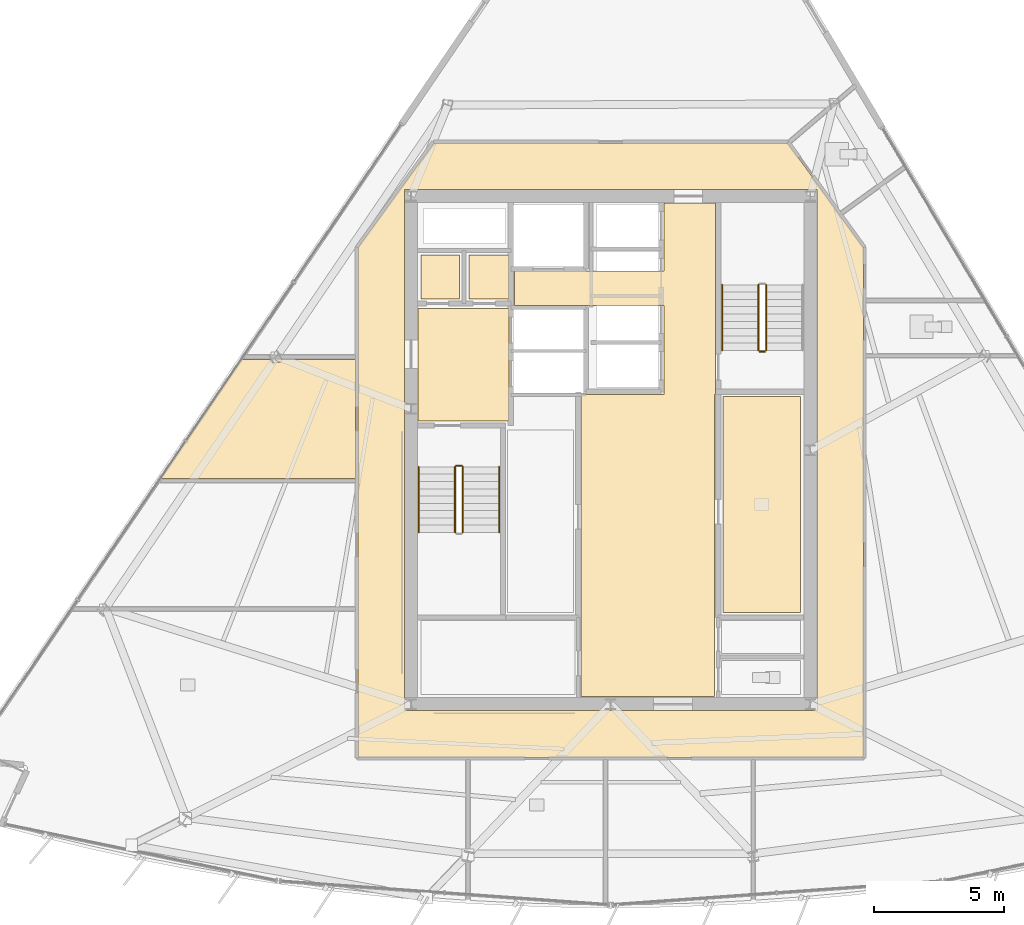
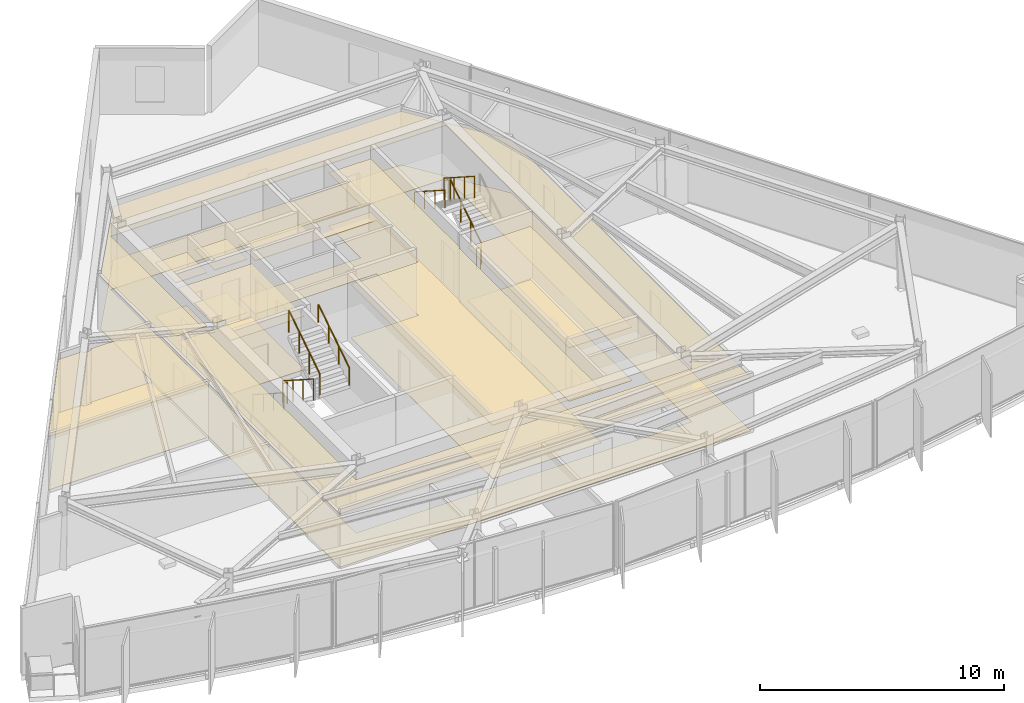
# One storey, part 10 of 13: 14 coverings, 9 railings.
"""IFC4 building model written with IfcOpenShell, lengths in metres."""

from ifc_helpers import new_model, si_unit, direction, frame, origin, origin_2d, place, context, subcontext, project, spatial, polyline, circle, outline, extrude, material, layer, layer_set, type_object, element, save


model = new_model("IFC4")

# Units and contexts
model_context = context("Model", 3, precision=1e-05, world=origin(), true_north=direction((0.0, 1.0)))
body_context = subcontext(model_context, "Body", "Model", "MODEL_VIEW")
ifc_project = project(units=[si_unit("LENGTHUNIT", "METRE"), si_unit("AREAUNIT", "SQUARE_METRE"), si_unit("VOLUMEUNIT", "CUBIC_METRE"), si_unit("PLANEANGLEUNIT", "RADIAN"), si_unit("MASSUNIT", "GRAM", prefix="KILO")], contexts=[model_context])

# Site, building, storey
site_placement = place(None, origin())
site = spatial("IfcSite", under=ifc_project, at=site_placement, CompositionType="ELEMENT")
building_placement = place(site_placement, origin())
building = spatial("IfcBuilding", under=site, at=building_placement, Name="Savorim Split Tower", CompositionType="ELEMENT")
storey_placement = place(building_placement, frame((0.0, 0.0, 223.5)))
storey = spatial("IfcBuildingStorey", under=building, at=storey_placement, Name="L59", CompositionType="ELEMENT", Elevation=223.5)

# Coverings
ifc_material_1 = material(Name="Mineral Fibre Acoustic Ceiling")
ifc_layer_1 = layer(ifc_material_1, 0.02490234375)
ifc_layer_set_1 = layer_set([ifc_layer_1], Name="COV-CEIL-25")
covering_type_1 = type_object("IfcCoveringType", Name="COV-CEIL-25", PredefinedType="CEILING", material=ifc_layer_set_1)
covering_1_placement = place(storey_placement, frame((0.0, 0.0, 2.669921875)))
element("IfcCovering", 1, at=covering_1_placement, inside=storey, type_object=covering_type_1, Name="L59 Firefighting Lift Lobby Acoustic Ceiling", PredefinedType="CEILING", context=body_context, shape_type="SweptSolid", body=[
    extrude(outline(polyline([(-7.429931640625, 5.8701171875), (-7.429931640625, 1.530029296875), (-3.929931640625, 1.530029296875), (-3.929931640625, 5.8701171875), (-7.429931640625, 5.8701171875)])), origin(), (0.0, 0.0, 1.0), 0.025146484375),
])
covering_2_placement = place(storey_placement, frame((0.0, 0.0, 2.669921875)))
element("IfcCovering", 2, at=covering_2_placement, inside=storey, type_object=covering_type_1, Name="L59 Electrical Riser Acoustic Ceiling", PredefinedType="CEILING", context=body_context, shape_type="SweptSolid", body=[
    extrude(outline(polyline([(-7.320068359375, 7.919921875), (-7.320068359375, 6.22998046875), (-5.830078125, 6.22998046875), (-5.830078125, 7.919921875), (-7.320068359375, 7.919921875)])), origin(), (0.0, 0.0, 1.0), 0.025146484375),
])
covering_3_placement = place(storey_placement, frame((0.0, 0.0, 2.669921875)))
element("IfcCovering", 3, at=covering_3_placement, inside=storey, type_object=covering_type_1, Name="L59 Telecom Riser Acoustic Ceiling", PredefinedType="CEILING", context=body_context, shape_type="SweptSolid", body=[
    extrude(outline(polyline([(-5.469970703125, 7.919921875), (-5.469970703125, 6.22998046875), (-3.929931640625, 6.22998046875), (-3.929931640625, 7.919921875), (-5.469970703125, 7.919921875)])), origin(), (0.0, 0.0, 1.0), 0.025146484375),
])
covering_4_placement = place(storey_placement, frame((0.0, 0.0, 2.669921875)))
element("IfcCovering", 4, at=covering_4_placement, inside=storey, type_object=covering_type_1, Name="L59 Lift Lobby Acoustic Ceiling", PredefinedType="CEILING", context=body_context, shape_type="SweptSolid", body=[
    extrude(outline(polyline([(2.050048828125, 2.550048828125), (-1.14990234375, 2.550048828125), (-1.14990234375, -9.10009765625), (4.0, -9.10009765625), (4.0, 2.550048828125), (4.050048828125, 2.550048828125), (4.050048828125, 5.97998046875), (4.050048828125, 7.300048828125), (4.050048828125, 9.929931640625), (2.050048828125, 9.929931640625), (2.050048828125, 7.300048828125), (-3.699951171875, 7.300048828125), (-3.699951171875, 5.97998046875), (2.050048828125, 5.97998046875), (2.050048828125, 2.550048828125)])), origin(), (0.0, 0.0, 1.0), 0.025146484375),
])
covering_5_placement = place(storey_placement, frame((0.0, 0.0, 2.669921875)))
element("IfcCovering", 5, at=covering_5_placement, inside=storey, type_object=covering_type_1, Name="L59 Community Laundry Room Acoustic Ceiling", PredefinedType="CEILING", context=body_context, shape_type="SweptSolid", body=[
    extrude(outline(polyline([(4.330078125, 2.469970703125), (4.330078125, -5.8701171875), (7.320068359375, -5.8701171875), (7.320068359375, 2.469970703125), (4.330078125, 2.469970703125)])), origin(), (0.0, 0.0, 1.0), 0.025146484375),
])
covering_6_placement = place(storey_placement, frame((0.0, 0.0, 2.669921875)))
element("IfcCovering", 6, at=covering_6_placement, inside=storey, type_object=covering_type_1, Name="L59 Corridor Acoustic Ceiling", PredefinedType="CEILING", context=body_context, shape_type="SweptSolid", body=[
    extrude(outline(polyline([(6.809326171875, 12.2490234375), (6.8046875, 12.249755859375), (6.800048828125, 12.25), (-6.800048828125, 12.25), (-6.8046875, 12.249755859375), (-6.809326171875, 12.2490234375), (-6.81396484375, 12.248046875), (-6.818359375, 12.24658203125), (-6.82275390625, 12.244384765625), (-6.826904296875, 12.2421875), (-6.830810546875, 12.239501953125), (-6.834228515625, 12.236328125), (-6.83740234375, 12.23291015625), (-6.840576171875, 12.229248046875), (-9.740478515625, 8.229248046875), (-9.743408203125, 8.22509765625), (-9.74560546875, 8.22021484375), (-9.74755859375, 8.21533203125), (-9.748779296875, 8.21044921875), (-9.749755859375, 8.205078125), (-9.75, 8.199951171875), (-9.75, -11.39990234375), (-9.749755859375, -11.40478515625), (-9.7490234375, -11.409912109375), (-9.747802734375, -11.41455078125), (-9.74609375, -11.419189453125), (-9.744140625, -11.423583984375), (-9.74169921875, -11.427734375), (-9.73876953125, -11.431640625), (-9.7353515625, -11.435302734375), (-9.731689453125, -11.438720703125), (-9.727783203125, -11.441650390625), (-9.7236328125, -11.444091796875), (-9.718994140625, -11.4462890625), (-9.714599609375, -11.44775390625), (-9.709716796875, -11.448974609375), (-9.704833984375, -11.44970703125), (-9.699951171875, -11.449951171875), (9.699951171875, -11.449951171875), (9.704833984375, -11.44970703125), (9.709716796875, -11.448974609375), (9.714599609375, -11.44775390625), (9.718994140625, -11.4462890625), (9.7236328125, -11.444091796875), (9.727783203125, -11.441650390625), (9.731689453125, -11.438720703125), (9.7353515625, -11.435302734375), (9.73876953125, -11.431640625), (9.74169921875, -11.427734375), (9.744140625, -11.423583984375), (9.74609375, -11.419189453125), (9.747802734375, -11.41455078125), (9.7490234375, -11.409912109375), (9.749755859375, -11.40478515625), (9.75, -11.39990234375), (9.75, 8.199951171875), (9.749755859375, 8.205078125), (9.748779296875, 8.21044921875), (9.74755859375, 8.21533203125), (9.74560546875, 8.22021484375), (9.743408203125, 8.22509765625), (9.740478515625, 8.229248046875), (6.840576171875, 12.229248046875), (6.83740234375, 12.23291015625), (6.834228515625, 12.236328125), (6.830810546875, 12.239501953125), (6.826904296875, 12.2421875), (6.82275390625, 12.244384765625), (6.818359375, 12.24658203125), (6.81396484375, 12.248046875), (6.809326171875, 12.2490234375)]), holes=[polyline([(-7.949951171875, 10.449951171875), (-7.949951171875, -9.64990234375), (7.949951171875, -9.64990234375), (7.949951171875, 10.449951171875), (-7.949951171875, 10.449951171875)])]), origin(), (0.0, 0.0, 1.0), 0.025146484375),
])
covering_7_placement = place(storey_placement, frame((0.0, 0.0, 2.669921875)))
element("IfcCovering", 7, at=covering_7_placement, inside=storey, type_object=covering_type_1, Name="L59 Quiet Study Room Acoustic Ceiling", PredefinedType="CEILING", context=body_context, shape_type="SweptSolid", body=[
    extrude(outline(polyline([(-13.106201171875, 3.896484375), (-14.1171875, 3.896484375), (-14.212158203125, 3.896484375), (-14.212158203125, 3.940673828125), (-17.359619140625, -0.68603515625), (-9.840087890625, -0.68603515625), (-9.840087890625, 3.896484375), (-12.712158203125, 3.896484375), (-12.712158203125, 3.79541015625), (-13.106201171875, 3.79541015625), (-13.106201171875, 3.896484375)])), origin(), (0.0, 0.0, 1.0), 0.025146484375),
])
ifc_material_2 = material(Name="Porcelain Stoneware Flooring", Category="masonry")
ifc_layer_2 = layer(ifc_material_2, 0.02001953125)
ifc_layer_set_2 = layer_set([ifc_layer_2], Name="COV-FLOR-20")
covering_type_2 = type_object("IfcCoveringType", Name="COV-FLOR-20", PredefinedType="FLOORING", material=ifc_layer_set_2)
covering_8_placement = place(storey_placement, origin())
element("IfcCovering", 8, at=covering_8_placement, inside=storey, type_object=covering_type_2, Name="L59 Firefighting Lift Lobby Porcelain Flooring", PredefinedType="FLOORING", context=body_context, shape_type="SweptSolid", body=[
    extrude(outline(polyline([(-7.429931640625, 5.8701171875), (-7.429931640625, 1.530029296875), (-3.929931640625, 1.530029296875), (-3.929931640625, 5.8701171875), (-7.429931640625, 5.8701171875)])), origin(), (0.0, 0.0, 1.0), 0.02001953125),
])
covering_9_placement = place(storey_placement, origin())
element("IfcCovering", 9, at=covering_9_placement, inside=storey, type_object=covering_type_2, Name="L59 Electrical Riser Porcelain Flooring", PredefinedType="FLOORING", context=body_context, shape_type="SweptSolid", body=[
    extrude(outline(polyline([(-7.320068359375, 7.919921875), (-7.320068359375, 6.22998046875), (-5.830078125, 6.22998046875), (-5.830078125, 7.919921875), (-7.320068359375, 7.919921875)])), origin(), (0.0, 0.0, 1.0), 0.02001953125),
])
covering_10_placement = place(storey_placement, origin())
element("IfcCovering", 10, at=covering_10_placement, inside=storey, type_object=covering_type_2, Name="L59 Telecom Riser Porcelain Flooring", PredefinedType="FLOORING", context=body_context, shape_type="SweptSolid", body=[
    extrude(outline(polyline([(-5.469970703125, 7.919921875), (-5.469970703125, 6.22998046875), (-3.929931640625, 6.22998046875), (-3.929931640625, 7.919921875), (-5.469970703125, 7.919921875)])), origin(), (0.0, 0.0, 1.0), 0.02001953125),
])
covering_11_placement = place(storey_placement, origin())
element("IfcCovering", 11, at=covering_11_placement, inside=storey, type_object=covering_type_2, Name="L59 Lift Lobby Porcelain Flooring", PredefinedType="FLOORING", context=body_context, shape_type="SweptSolid", body=[
    extrude(outline(polyline([(2.050048828125, 2.550048828125), (-1.14990234375, 2.550048828125), (-1.14990234375, -9.10009765625), (4.0, -9.10009765625), (4.0, 2.550048828125), (4.050048828125, 2.550048828125), (4.050048828125, 5.97998046875), (4.050048828125, 7.300048828125), (4.050048828125, 9.929931640625), (2.050048828125, 9.929931640625), (2.050048828125, 7.300048828125), (-3.699951171875, 7.300048828125), (-3.699951171875, 5.97998046875), (2.050048828125, 5.97998046875), (2.050048828125, 2.550048828125)])), origin(), (0.0, 0.0, 1.0), 0.02001953125),
])
covering_12_placement = place(storey_placement, origin())
element("IfcCovering", 12, at=covering_12_placement, inside=storey, type_object=covering_type_2, Name="L59 Community Laundry Room Porcelain Flooring", PredefinedType="FLOORING", context=body_context, shape_type="SweptSolid", body=[
    extrude(outline(polyline([(4.330078125, 2.469970703125), (4.330078125, -5.8701171875), (7.320068359375, -5.8701171875), (7.320068359375, 2.469970703125), (4.330078125, 2.469970703125)])), origin(), (0.0, 0.0, 1.0), 0.02001953125),
])
covering_13_placement = place(storey_placement, origin())
element("IfcCovering", 13, at=covering_13_placement, inside=storey, type_object=covering_type_2, Name="L59 Corridor Porcelain Flooring", PredefinedType="FLOORING", context=body_context, shape_type="SweptSolid", body=[
    extrude(outline(polyline([(6.809326171875, 12.2490234375), (6.8046875, 12.249755859375), (6.800048828125, 12.25), (-6.800048828125, 12.25), (-6.8046875, 12.249755859375), (-6.809326171875, 12.2490234375), (-6.81396484375, 12.248046875), (-6.818359375, 12.24658203125), (-6.82275390625, 12.244384765625), (-6.826904296875, 12.2421875), (-6.830810546875, 12.239501953125), (-6.834228515625, 12.236328125), (-6.83740234375, 12.23291015625), (-6.840576171875, 12.229248046875), (-9.740478515625, 8.229248046875), (-9.743408203125, 8.22509765625), (-9.74560546875, 8.22021484375), (-9.74755859375, 8.21533203125), (-9.748779296875, 8.21044921875), (-9.749755859375, 8.205078125), (-9.75, 8.199951171875), (-9.75, -11.39990234375), (-9.749755859375, -11.40478515625), (-9.7490234375, -11.409912109375), (-9.747802734375, -11.41455078125), (-9.74609375, -11.419189453125), (-9.744140625, -11.423583984375), (-9.74169921875, -11.427734375), (-9.73876953125, -11.431640625), (-9.7353515625, -11.435302734375), (-9.731689453125, -11.438720703125), (-9.727783203125, -11.441650390625), (-9.7236328125, -11.444091796875), (-9.718994140625, -11.4462890625), (-9.714599609375, -11.44775390625), (-9.709716796875, -11.448974609375), (-9.704833984375, -11.44970703125), (-9.699951171875, -11.449951171875), (9.699951171875, -11.449951171875), (9.704833984375, -11.44970703125), (9.709716796875, -11.448974609375), (9.714599609375, -11.44775390625), (9.718994140625, -11.4462890625), (9.7236328125, -11.444091796875), (9.727783203125, -11.441650390625), (9.731689453125, -11.438720703125), (9.7353515625, -11.435302734375), (9.73876953125, -11.431640625), (9.74169921875, -11.427734375), (9.744140625, -11.423583984375), (9.74609375, -11.419189453125), (9.747802734375, -11.41455078125), (9.7490234375, -11.409912109375), (9.749755859375, -11.40478515625), (9.75, -11.39990234375), (9.75, 8.199951171875), (9.749755859375, 8.205078125), (9.748779296875, 8.21044921875), (9.74755859375, 8.21533203125), (9.74560546875, 8.22021484375), (9.743408203125, 8.22509765625), (9.740478515625, 8.229248046875), (6.840576171875, 12.229248046875), (6.83740234375, 12.23291015625), (6.834228515625, 12.236328125), (6.830810546875, 12.239501953125), (6.826904296875, 12.2421875), (6.82275390625, 12.244384765625), (6.818359375, 12.24658203125), (6.81396484375, 12.248046875), (6.809326171875, 12.2490234375)]), holes=[polyline([(-7.949951171875, 10.449951171875), (-7.949951171875, -9.64990234375), (7.949951171875, -9.64990234375), (7.949951171875, 10.449951171875), (-7.949951171875, 10.449951171875)])]), origin(), (0.0, 0.0, 1.0), 0.02001953125),
])
covering_14_placement = place(storey_placement, origin())
element("IfcCovering", 14, at=covering_14_placement, inside=storey, type_object=covering_type_2, Name="L59 Quiet Study Room Porcelain Flooring", PredefinedType="FLOORING", context=body_context, shape_type="SweptSolid", body=[
    extrude(outline(polyline([(-13.106201171875, 3.896484375), (-14.1171875, 3.896484375), (-14.212158203125, 3.896484375), (-14.212158203125, 3.940673828125), (-17.359619140625, -0.68603515625), (-9.840087890625, -0.68603515625), (-9.840087890625, 3.896484375), (-12.712158203125, 3.896484375), (-12.712158203125, 3.79541015625), (-13.106201171875, 3.79541015625), (-13.106201171875, 3.896484375)])), origin(), (0.0, 0.0, 1.0), 0.02001953125),
])

# Railings
ifc_material_3 = material(Name="Galvanised Painted Steel Balustrade", Category="steel")
railing_type_1 = type_object("IfcRailingType", Name="RLG-HR-900", PredefinedType="HANDRAIL", material=ifc_material_3)
railing_1_placement = place(storey_placement, frame((-7.39990234375, -0.25, 0.179931640625)))
element("IfcRailing", 15, at=railing_1_placement, inside=storey, type_object=railing_type_1, Name="L59 ST-1 stair handrail 1", PredefinedType="HANDRAIL", context=body_context, shape_type="SweptSolid", body=[
    extrude(circle(Radius=0.02392578125, at=origin_2d()), frame((0.0, 0.0, 0.8759765625), z_axis=(0.0, -0.841162588446, 0.540782303519), x_axis=(1.0, 0.0, 0.0)), (0.0, 0.0, 1.0), 2.995849609375),
    extrude(circle(Radius=0.02099609375, at=origin_2d()), origin(), (0.0, 0.0, 1.0), 0.851806640625),
    extrude(circle(Radius=0.02099609375, at=origin_2d()), frame((0.0, -0.840087890625, 0.5400390625)), (0.0, 0.0, 1.0), 0.851806640625),
    extrude(circle(Radius=0.02099609375, at=origin_2d()), frame((0.0, -1.679931640625, 1.080078125)), (0.0, 0.0, 1.0), 0.851806640625),
    extrude(circle(Radius=0.02099609375, at=origin_2d()), frame((0.0, -2.52001953125, 1.6201171875)), (0.0, 0.0, 1.0), 0.851806640625),
])
railing_2_placement = place(storey_placement, frame((-4.300048828125, -2.77001953125, 1.97998046875)))
element("IfcRailing", 16, at=railing_2_placement, inside=storey, type_object=railing_type_1, Name="L59 ST-1 stair handrail 2", PredefinedType="HANDRAIL", context=body_context, shape_type="SweptSolid", body=[
    extrude(circle(Radius=0.02392578125, at=origin_2d()), frame((0.0, 0.0, 0.8759765625), z_axis=(0.0, 0.841162588446, 0.540782303519), x_axis=(-1.0, 0.0, 0.0)), (0.0, 0.0, 1.0), 2.995849609375),
    extrude(circle(Radius=0.02099609375, at=origin_2d()), origin(), (0.0, 0.0, 1.0), 0.851806640625),
    extrude(circle(Radius=0.02099609375, at=origin_2d()), frame((0.0, 0.840087890625, 0.5400390625)), (0.0, 0.0, 1.0), 0.851806640625),
    extrude(circle(Radius=0.02099609375, at=origin_2d()), frame((0.0, 1.679931640625, 1.080078125)), (0.0, 0.0, 1.0), 0.851806640625),
    extrude(circle(Radius=0.02099609375, at=origin_2d()), frame((0.0, 2.52001953125, 1.6201171875)), (0.0, 0.0, 1.0), 0.851806640625),
])
railing_3_placement = place(storey_placement, frame((4.300048828125, 6.77001953125, 1.97998046875)))
element("IfcRailing", 17, at=railing_3_placement, inside=storey, type_object=railing_type_1, Name="L59 ST-2 stair handrail 2", PredefinedType="HANDRAIL", context=body_context, shape_type="SweptSolid", body=[
    extrude(circle(Radius=0.02392578125, at=origin_2d()), frame((0.0, 0.0, 0.8759765625), z_axis=(0.0, -0.841162588446, 0.540782303519), x_axis=(1.0, 0.0, 0.0)), (0.0, 0.0, 1.0), 2.995849609375),
    extrude(circle(Radius=0.02099609375, at=origin_2d()), origin(), (0.0, 0.0, 1.0), 0.851806640625),
    extrude(circle(Radius=0.02099609375, at=origin_2d()), frame((0.0, -0.840087890625, 0.5400390625)), (0.0, 0.0, 1.0), 0.851806640625),
    extrude(circle(Radius=0.02099609375, at=origin_2d()), frame((0.0, -1.679931640625, 1.080078125)), (0.0, 0.0, 1.0), 0.851806640625),
    extrude(circle(Radius=0.02099609375, at=origin_2d()), frame((0.0, -2.52001953125, 1.6201171875)), (0.0, 0.0, 1.0), 0.851806640625),
])
railing_type_2 = type_object("IfcRailingType", Name="RLG-STG-1100", PredefinedType="BALUSTRADE", material=ifc_material_3)
railing_4_placement = place(storey_placement, frame((-6.0, -0.25, 0.179931640625)))
element("IfcRailing", 18, at=railing_4_placement, inside=storey, type_object=railing_type_2, Name="L59 ST-1 stair guard 1", PredefinedType="BALUSTRADE", context=body_context, shape_type="SweptSolid", body=[
    extrude(circle(Radius=0.02392578125, at=origin_2d()), frame((0.0, 0.0, 1.076171875), z_axis=(0.0, -0.841162588446, 0.540782303519), x_axis=(1.0, 0.0, 0.0)), (0.0, 0.0, 1.0), 2.995849609375),
    extrude(circle(Radius=0.02099609375, at=origin_2d()), origin(), (0.0, 0.0, 1.0), 1.052001953125),
    extrude(circle(Radius=0.02099609375, at=origin_2d()), frame((0.0, -0.840087890625, 0.5400390625)), (0.0, 0.0, 1.0), 1.052001953125),
    extrude(circle(Radius=0.02099609375, at=origin_2d()), frame((0.0, -1.679931640625, 1.080078125)), (0.0, 0.0, 1.0), 1.052001953125),
    extrude(circle(Radius=0.02099609375, at=origin_2d()), frame((0.0, -2.52001953125, 1.6201171875)), (0.0, 0.0, 1.0), 1.052001953125),
])
railing_5_placement = place(storey_placement, frame((-5.699951171875, -2.77001953125, 1.97998046875)))
element("IfcRailing", 19, at=railing_5_placement, inside=storey, type_object=railing_type_2, Name="L59 ST-1 stair guard 3", PredefinedType="BALUSTRADE", context=body_context, shape_type="SweptSolid", body=[
    extrude(circle(Radius=0.02392578125, at=origin_2d()), frame((0.0, 0.0, 1.076171875), z_axis=(0.0, 0.841162588446, 0.540782303519), x_axis=(-1.0, 0.0, 0.0)), (0.0, 0.0, 1.0), 2.995849609375),
    extrude(circle(Radius=0.02099609375, at=origin_2d()), origin(), (0.0, 0.0, 1.0), 1.052001953125),
    extrude(circle(Radius=0.02099609375, at=origin_2d()), frame((0.0, 0.840087890625, 0.5400390625)), (0.0, 0.0, 1.0), 1.052001953125),
    extrude(circle(Radius=0.02099609375, at=origin_2d()), frame((0.0, 1.679931640625, 1.080078125)), (0.0, 0.0, 1.0), 1.052001953125),
    extrude(circle(Radius=0.02099609375, at=origin_2d()), frame((0.0, 2.52001953125, 1.6201171875)), (0.0, 0.0, 1.0), 1.052001953125),
])
railing_6_placement = place(storey_placement, frame((-5.949951171875, -0.199951171875, 0.0)))
element("IfcRailing", 20, at=railing_6_placement, inside=storey, type_object=railing_type_2, Name="L59 ST-1 stair guard 4", PredefinedType="BALUSTRADE", context=body_context, shape_type="SweptSolid", body=[
    extrude(circle(Radius=0.02392578125, at=origin_2d()), frame((0.0, 0.0, 1.076171875), z_axis=(1.0, 0.0, 0.0), x_axis=(0.0, 1.0, 0.0)), (0.0, 0.0, 1.0), 0.199951171875),
    extrude(circle(Radius=0.02099609375, at=origin_2d()), origin(), (0.0, 0.0, 1.0), 1.052001953125),
    extrude(circle(Radius=0.02099609375, at=origin_2d()), frame((0.199951171875, 0.0, 0.0)), (0.0, 0.0, 1.0), 1.052001953125),
])
railing_7_placement = place(storey_placement, frame((6.0, 4.25, 0.179931640625)))
element("IfcRailing", 21, at=railing_7_placement, inside=storey, type_object=railing_type_2, Name="L59 ST-2 stair guard 1", PredefinedType="BALUSTRADE", context=body_context, shape_type="SweptSolid", body=[
    extrude(circle(Radius=0.02392578125, at=origin_2d()), frame((0.0, 0.0, 1.076171875), z_axis=(0.0, 0.841162588446, 0.540782303519), x_axis=(-1.0, 0.0, 0.0)), (0.0, 0.0, 1.0), 2.995849609375),
    extrude(circle(Radius=0.02099609375, at=origin_2d()), origin(), (0.0, 0.0, 1.0), 1.052001953125),
    extrude(circle(Radius=0.02099609375, at=origin_2d()), frame((0.0, 0.840087890625, 0.5400390625)), (0.0, 0.0, 1.0), 1.052001953125),
    extrude(circle(Radius=0.02099609375, at=origin_2d()), frame((0.0, 1.679931640625, 1.080078125)), (0.0, 0.0, 1.0), 1.052001953125),
    extrude(circle(Radius=0.02099609375, at=origin_2d()), frame((0.0, 2.52001953125, 1.6201171875)), (0.0, 0.0, 1.0), 1.052001953125),
])
railing_8_placement = place(storey_placement, frame((5.699951171875, 6.77001953125, 1.97998046875)))
element("IfcRailing", 22, at=railing_8_placement, inside=storey, type_object=railing_type_2, Name="L59 ST-2 stair guard 3", PredefinedType="BALUSTRADE", context=body_context, shape_type="SweptSolid", body=[
    extrude(circle(Radius=0.02392578125, at=origin_2d()), frame((0.0, 0.0, 1.076171875), z_axis=(0.0, -0.841162588446, 0.540782303519), x_axis=(1.0, 0.0, 0.0)), (0.0, 0.0, 1.0), 2.995849609375),
    extrude(circle(Radius=0.02099609375, at=origin_2d()), origin(), (0.0, 0.0, 1.0), 1.052001953125),
    extrude(circle(Radius=0.02099609375, at=origin_2d()), frame((0.0, -0.840087890625, 0.5400390625)), (0.0, 0.0, 1.0), 1.052001953125),
    extrude(circle(Radius=0.02099609375, at=origin_2d()), frame((0.0, -1.679931640625, 1.080078125)), (0.0, 0.0, 1.0), 1.052001953125),
    extrude(circle(Radius=0.02099609375, at=origin_2d()), frame((0.0, -2.52001953125, 1.6201171875)), (0.0, 0.0, 1.0), 1.052001953125),
])
railing_9_placement = place(storey_placement, frame((5.949951171875, 4.199951171875, 0.0)))
element("IfcRailing", 23, at=railing_9_placement, inside=storey, type_object=railing_type_2, Name="L59 ST-2 stair guard 4", PredefinedType="BALUSTRADE", context=body_context, shape_type="SweptSolid", body=[
    extrude(circle(Radius=0.02392578125, at=origin_2d()), frame((0.0, 0.0, 1.076171875), z_axis=(-1.0, 0.0, 0.0), x_axis=(0.0, -1.0, 0.0)), (0.0, 0.0, 1.0), 0.199951171875),
    extrude(circle(Radius=0.02099609375, at=origin_2d()), origin(), (0.0, 0.0, 1.0), 1.052001953125),
    extrude(circle(Radius=0.02099609375, at=origin_2d()), frame((-0.199951171875, 0.0, 0.0)), (0.0, 0.0, 1.0), 1.052001953125),
])

save(model, "model.ifc")
